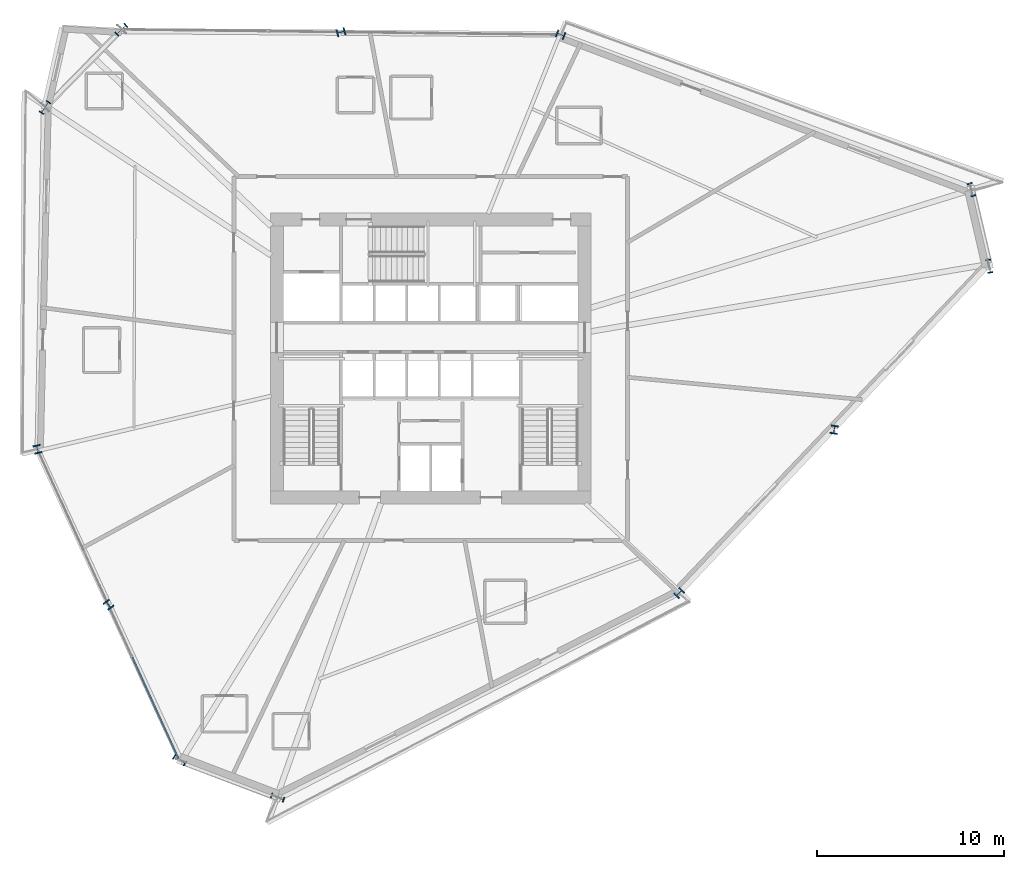
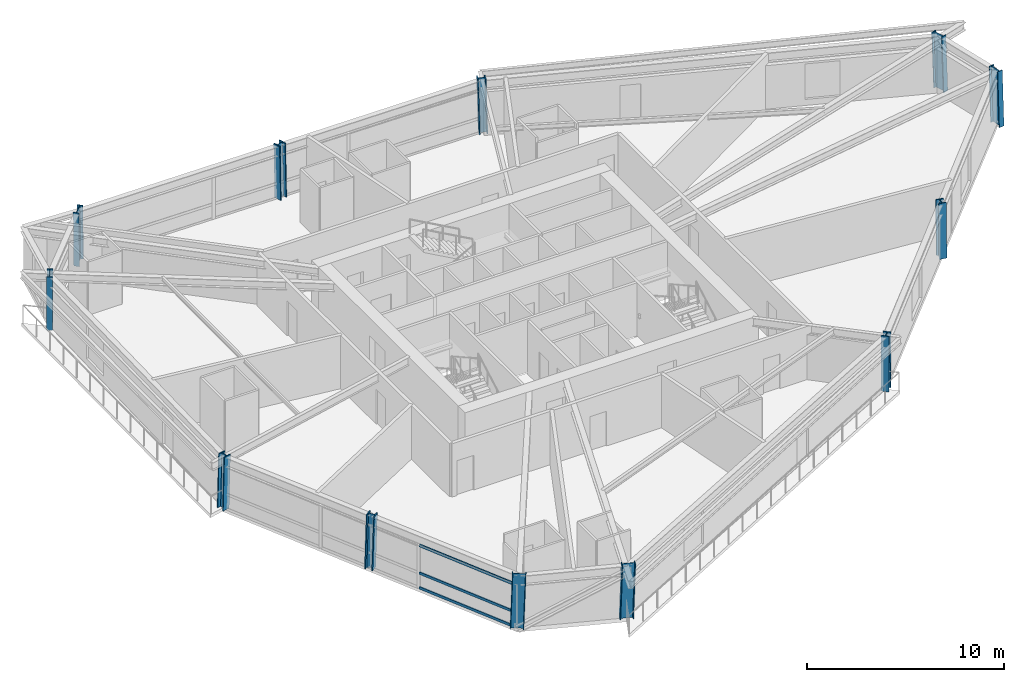
# One storey, part 1 of 21: 12 columns, 3 members, 1 element without a shape of its own.
"""IFC4 building model written with IfcOpenShell, lengths in metres."""

import ifcopenshell
import ifcopenshell.guid

model = None  # the IFC model being written
_history = None  # IfcOwnerHistory: only IFC2X3 demands one
_inside = {}  # id of a spatial element -> (the spatial element, [elements in it])
_under = {}  # id of a project, library or spatial element -> (it, [spatial elements below it])
_declared = {}  # id of a project -> (the project, [libraries it declares])
_typed = {}  # id of a type object -> (the type object, [elements of that type])
_made_of = {}  # id of a material, layer set ... -> (it, [elements and type objects made of it])


def new_model(schema):
    """Start an empty IFC model of exactly this schema.

    Asked for "IFC4X3", IfcOpenShell would pick the latest addendum, in which some entities
    have other attributes; the version numbers below select the first issue.
    IFC2X3 requires an IfcOwnerHistory on every rooted entity: one is made here for all.
    """
    global model, _history
    if schema == "IFC4X3":
        model = ifcopenshell.file(schema_version=(4, 3, 0, 0))
    else:
        model = ifcopenshell.file(schema=schema)
    _inside.clear()
    _under.clear()
    _declared.clear()
    _typed.clear()
    _made_of.clear()
    _history = None
    if model.schema == "IFC2X3":
        org = make("IfcOrganization", Name="unknown")
        user = make(
            "IfcPersonAndOrganization",
            ThePerson=make("IfcPerson", FamilyName="unknown"),
            TheOrganization=org,
        )
        app = make(
            "IfcApplication",
            ApplicationDeveloper=org,
            Version="unknown",
            ApplicationFullName="unknown",
            ApplicationIdentifier="unknown",
        )
        _history = make(
            "IfcOwnerHistory",
            OwningUser=user,
            OwningApplication=app,
            ChangeAction="ADDED",
            CreationDate=0,
        )
    return model


def make(cls, **values):
    """One entity of the class cls with the attributes given. An attribute that is None is left unset."""
    return model.create_entity(
        cls, **{name: value for name, value in values.items() if value is not None}
    )


def rooted(cls, **values):
    """An entity with a GlobalId (a new one), such as an element, a storey or a relation."""
    return make(cls, GlobalId=ifcopenshell.guid.new(), OwnerHistory=_history, **values)


def si_unit(unit_type, name, prefix=None):
    """IfcSIUnit, for example si_unit("LENGTHUNIT", "METRE", prefix="MILLI")."""
    return make("IfcSIUnit", UnitType=unit_type, Prefix=prefix, Name=name)


def assignment(units):
    """IfcUnitAssignment: the units of a project."""
    return None if units is None else make("IfcUnitAssignment", Units=units)


def point(xyz):
    """IfcCartesianPoint."""
    return None if xyz is None else make("IfcCartesianPoint", Coordinates=xyz)


def direction(xyz):
    """IfcDirection."""
    return None if xyz is None else make("IfcDirection", DirectionRatios=xyz)


def frame(location, z_axis=None, x_axis=None):
    """IfcAxis2Placement3D, a coordinate frame: its origin and axes. An axis left out is left unset."""
    return make(
        "IfcAxis2Placement3D",
        Location=point(location),
        Axis=direction(z_axis),
        RefDirection=direction(x_axis),
    )


def frame_2d(location, x_axis=None):
    """IfcAxis2Placement2D, a coordinate frame in the plane: its origin and x axis."""
    return make(
        "IfcAxis2Placement2D", Location=point(location), RefDirection=direction(x_axis)
    )


def origin():
    """The frame at (0, 0, 0) with its axes left unset."""
    return frame((0.0, 0.0, 0.0))


def origin_2d():
    """The frame at (0, 0) in the plane with its x axis left unset."""
    return frame_2d((0.0, 0.0))


def place(relative_to, where):
    """IfcLocalPlacement: puts the frame where relative to a parent placement (None: the world)."""
    return make(
        "IfcLocalPlacement", PlacementRelTo=relative_to, RelativePlacement=where
    )


def context(
    kind, dimensions, precision=None, world=None, true_north=None, identifier=None
):
    """IfcGeometricRepresentationContext, for example the 3D "Model" context."""
    return make(
        "IfcGeometricRepresentationContext",
        ContextIdentifier=identifier,
        ContextType=kind,
        CoordinateSpaceDimension=dimensions,
        Precision=precision,
        WorldCoordinateSystem=world,
        TrueNorth=true_north,
    )


def subcontext(parent, identifier, kind, view, scale=None):
    """IfcGeometricRepresentationSubContext, for example "Body" below "Model"."""
    return make(
        "IfcGeometricRepresentationSubContext",
        ContextIdentifier=identifier,
        ContextType=kind,
        ParentContext=parent,
        TargetScale=scale,
        TargetView=view,
    )


def project(units=None, contexts=None):
    """IfcProject with its units and contexts."""
    return rooted(
        "IfcProject",
        Name="project",
        RepresentationContexts=contexts,
        UnitsInContext=assignment(units),
    )


def spatial(cls, under=None, at=None, **own):
    """A site, building, storey or space (cls), placed at a placement, below another one or the project."""
    s = rooted(cls, ObjectPlacement=at, **own)
    if under is not None:
        _under.setdefault(under.id(), (under, []))[1].append(s)
    return s


def profile(cls, at=None, kind="AREA", **sizes):
    """A parametric profile (cls). Its sizes go by their IFC names, for example OverallWidth=200.0."""
    return make(cls, ProfileType=kind, Position=at, **sizes)


def hollow_rectangle(**sizes):
    """IfcRectangleHollowProfileDef."""
    return profile("IfcRectangleHollowProfileDef", **sizes)


def i_section(**sizes):
    """IfcIShapeProfileDef."""
    return profile("IfcIShapeProfileDef", **sizes)


def extrude(swept, where, along, depth):
    """IfcExtrudedAreaSolid: the profile swept, set in the frame where, extruded along a direction by depth."""
    return make(
        "IfcExtrudedAreaSolid",
        SweptArea=swept,
        Position=where,
        ExtrudedDirection=direction(along),
        Depth=depth,
    )


def shape(context_of_items, identifier, shape_type, items):
    """IfcShapeRepresentation: the items that make up one representation, for example the "Body"."""
    return make(
        "IfcShapeRepresentation",
        ContextOfItems=context_of_items,
        RepresentationIdentifier=identifier,
        RepresentationType=shape_type,
        Items=items,
    )


def source(mapping_origin, context_of_items, identifier, shape_type, items):
    """IfcRepresentationMap: a shape defined once, which mapped items show again and again."""
    return make(
        "IfcRepresentationMap",
        MappingOrigin=mapping_origin,
        MappedRepresentation=shape(context_of_items, identifier, shape_type, items),
    )


def transform(
    local_origin,
    x_axis=None,
    y_axis=None,
    z_axis=None,
    scale=None,
    scale2=None,
    scale3=None,
    uniform=True,
):
    """IfcCartesianTransformationOperator3D, or its non-uniform kind. x_axis, y_axis, z_axis: its Axis1, 2, 3."""
    if uniform:
        return make(
            "IfcCartesianTransformationOperator3D",
            Axis1=direction(x_axis),
            Axis2=direction(y_axis),
            LocalOrigin=point(local_origin),
            Scale=scale,
            Axis3=direction(z_axis),
        )
    return make(
        "IfcCartesianTransformationOperator3DnonUniform",
        Axis1=direction(x_axis),
        Axis2=direction(y_axis),
        LocalOrigin=point(local_origin),
        Scale=scale,
        Axis3=direction(z_axis),
        Scale2=scale2,
        Scale3=scale3,
    )


def mapped(mapping_source, mapping_target):
    """IfcMappedItem: shows the shape of a source again, moved by a transform."""
    return make(
        "IfcMappedItem", MappingSource=mapping_source, MappingTarget=mapping_target
    )


def material(Name=None, Category=None):
    """IfcMaterial."""
    return make("IfcMaterial", Name=Name, Category=Category)


def material_profile(
    of_material, cross_section, Name=None, Category=None, Priority=None
):
    """IfcMaterialProfile: a cross section and its material."""
    return make(
        "IfcMaterialProfile",
        Name=Name,
        Material=of_material,
        Profile=cross_section,
        Priority=Priority,
        Category=Category,
    )


def profile_set(profiles, Name=None, composite=None):
    """IfcMaterialProfileSet."""
    return make(
        "IfcMaterialProfileSet",
        Name=Name,
        MaterialProfiles=profiles,
        CompositeProfile=composite,
    )


def made_of(thing, what):
    """Note that an element or type object is made of a material, layer set ...; save() writes the relation."""
    if what is not None:
        _made_of.setdefault(what.id(), (what, []))[1].append(thing)
    return thing


def type_object(cls, material=None, **own):
    """A type object (cls), such as IfcWallType, which elements share."""
    return made_of(rooted(cls, **own), material)


def element(
    cls,
    number,
    at=None,
    inside=None,
    cuts=None,
    type_object=None,
    material=None,
    context=None,
    identifier="Body",
    shape_type=None,
    held_by="IfcProductDefinitionShape",
    body=None,
    shapes=None,
    **own,
):
    """One element of the class cls, such as IfcWall. Its Tag is "e" and its number.

    at: its placement. inside: the storey or other place that contains it. cuts: it is an
    opening in that element (IfcRelVoidsElement). A single representation is given by context,
    identifier, shape_type and body (its items); several are given by shapes. held_by: the class
    of the entity that holds the representations. save() writes the other relations.
    """
    e = rooted(cls, Tag="e%d" % number, ObjectPlacement=at, **own)
    if body is not None:
        shapes = [shape(context, identifier, shape_type, body)]
    if shapes is not None:
        e.Representation = make(held_by, Representations=shapes)
    if inside is not None:
        _inside.setdefault(inside.id(), (inside, []))[1].append(e)
    if cuts is not None:
        rooted(
            "IfcRelVoidsElement", RelatingBuildingElement=cuts, RelatedOpeningElement=e
        )
    if type_object is not None:
        _typed.setdefault(type_object.id(), (type_object, []))[1].append(e)
    return made_of(e, material)


def aggregate(whole, parts):
    """IfcRelAggregates: a whole, such as a stair, and the parts it consists of."""
    return rooted("IfcRelAggregates", RelatingObject=whole, RelatedObjects=parts)


def save(model, path):
    """Write the relations noted so far, then the file.

    IfcRelAggregates (storeys below a building ...), IfcRelContainedInSpatialStructure (elements
    in a storey), IfcRelDefinesByType, IfcRelAssociatesMaterial and IfcRelDeclares: one each for
    every whole, place, type object, material and project.
    """
    for whole, parts in _under.values():
        aggregate(whole, parts)
    for where, things in _inside.values():
        rooted(
            "IfcRelContainedInSpatialStructure",
            RelatedElements=things,
            RelatingStructure=where,
        )
    for kind, things in _typed.values():
        rooted("IfcRelDefinesByType", RelatedObjects=things, RelatingType=kind)
    for what, things in _made_of.values():
        rooted("IfcRelAssociatesMaterial", RelatedObjects=things, RelatingMaterial=what)
    for by, libraries in _declared.values():
        rooted("IfcRelDeclares", RelatingContext=by, RelatedDefinitions=libraries)
    model.write(path)


model = new_model("IFC4")

# Units and contexts
model_context = context("Model", 3, precision=1e-05, world=origin(), true_north=direction((0.0, 1.0)))
body_context = subcontext(model_context, "Body", "Model", "MODEL_VIEW")
ifc_project = project(units=[si_unit("LENGTHUNIT", "METRE"), si_unit("AREAUNIT", "SQUARE_METRE"), si_unit("VOLUMEUNIT", "CUBIC_METRE"), si_unit("PLANEANGLEUNIT", "RADIAN"), si_unit("MASSUNIT", "GRAM", prefix="KILO")], contexts=[model_context])

# Site, building, storey
site_placement = place(None, origin())
site = spatial("IfcSite", under=ifc_project, at=site_placement, CompositionType="ELEMENT")
building_placement = place(site_placement, origin())
building = spatial("IfcBuilding", under=site, at=building_placement, Name="Olszyna Solenne Hotel", CompositionType="ELEMENT")
storey_placement = place(building_placement, frame((0.0, 0.0, 91.5)))
storey = spatial("IfcBuildingStorey", under=building, at=storey_placement, Name="L23", CompositionType="ELEMENT", Elevation=91.5)

# Columns
ifc_material_1 = material(Name="Steel S460M", Category="steel")
ifc_material_profile_1 = material_profile(ifc_material_1, i_section(OverallWidth=0.303955078125, OverallDepth=0.716064453125, WebThickness=0.02099609375, FlangeThickness=0.0400390625, at=origin_2d()), Name="HEM 700", Category="load-bearing")
ifc_profile_set_1 = profile_set([ifc_material_profile_1], Name="Steel S460M")
column_type_1 = type_object("IfcColumnType", Name="COL-K2", PredefinedType="COLUMN", material=ifc_profile_set_1)
shared_shape_1 = source(origin(), body_context, "Body", "SweptSolid", [
    extrude(i_section(OverallWidth=0.303955078125, OverallDepth=0.716064453125, WebThickness=0.02099609375, FlangeThickness=0.0400390625, at=origin_2d()), origin(), (0.0, 0.0, 1.0), 3.3876953125),
])
for number, where, z_axis, x_axis, name in (
    (1, (67.94140625, 31.5224609375, 0.0), (-0.006486201376, 0.038556863734, 0.999235356385), (-0.986143702521, -0.165893333134, 0.0), "Perimeter framed-tube column COL-K2 C-L23-01"),
    (2, (66.994140625, 35.62451171875, 0.0), (-0.011747214053, 0.037331637296, 0.999233882441), (-0.953888313136, -0.300161766489, 0.0), "Perimeter framed-tube column COL-K2 C-L23-02"),
):
    element("IfcColumn", number, at=place(storey_placement, frame(where, z_axis=z_axis, x_axis=x_axis)), inside=storey, type_object=column_type_1, Name=name, PredefinedType="COLUMN", context=body_context, shape_type="MappedRepresentation", body=[
        mapped(shared_shape_1, transform((0.0, 0.0, 0.0), x_axis=(1.0, 0.0, 0.0), y_axis=(0.0, 1.0, 0.0), z_axis=(0.0, 0.0, 1.0), scale=1.0)),
    ])
ifc_material_profile_2 = material_profile(ifc_material_1, i_section(OverallWidth=0.41796875, OverallDepth=0.455078125, WebThickness=0.03759765625, FlangeThickness=0.05908203125, at=origin_2d()), Name="HD 400x551", Category="load-bearing")
ifc_profile_set_2 = profile_set([ifc_material_profile_2], Name="Steel S460M")
column_type_2 = type_object("IfcColumnType", Name="COL-T2", PredefinedType="COLUMN", material=ifc_profile_set_2)
shared_shape_2 = source(origin(), body_context, "Body", "SweptSolid", [
    extrude(i_section(OverallWidth=0.41796875, OverallDepth=0.455078125, WebThickness=0.03759765625, FlangeThickness=0.05908203125, at=origin_2d()), origin(), (0.0, 0.0, 1.0), 3.385986328125),
])
for number, where, z_axis, x_axis, name in (
    (3, (44.97216796875, 43.9501953125, 0.0), (-0.022424043653, 0.008940776247, 0.999708569927), (-0.370360524269, -0.928888089095, 0.0), "Perimeter framed-tube column COL-T2 C-L23-03"),
    (4, (33.201416015625, 44.090576171875, 0.0), (-0.022568644661, -0.00620096946, 0.999726064608), (0.264941667581, -0.964264441312, 0.0), "Perimeter framed-tube column COL-T2 C-L23-04"),
    (5, (51.304443359375, 14.016357421875, 0.0), (0.016151301224, 0.017160757551, 0.999722283371), (-0.728199992693, 0.685364699005, 0.0), "Perimeter framed-tube column COL-T2 C-L23-11"),
):
    element("IfcColumn", number, at=place(storey_placement, frame(where, z_axis=z_axis, x_axis=x_axis)), inside=storey, type_object=column_type_2, Name=name, PredefinedType="COLUMN", context=body_context, shape_type="MappedRepresentation", body=[
        mapped(shared_shape_2, transform((0.0, 0.0, 0.0), x_axis=(1.0, 0.0, 0.0), y_axis=(0.0, 1.0, 0.0), z_axis=(0.0, 0.0, 1.0), scale=1.0)),
    ])
shared_shape_3 = source(origin(), body_context, "Body", "SweptSolid", [
    extrude(i_section(OverallWidth=0.303955078125, OverallDepth=0.716064453125, WebThickness=0.02099609375, FlangeThickness=0.0400390625, at=origin_2d()), origin(), (0.0, 0.0, 1.0), 3.38671875),
])
for number, where, z_axis, x_axis, name in (
    (6, (21.430419921875, 44.23095703125, 0.0), (-0.022635992209, -0.02133838756, 0.999516025421), (0.685942763433, -0.727655499047, 0.0), "Perimeter framed-tube column COL-K2 C-L23-05"),
    (7, (17.337158203125, 40.072509765625, 0.0), (-0.017301055954, -0.026600373529, 0.999496419999), (0.838287871127, -0.54522788366, 0.0), "Perimeter framed-tube column COL-K2 C-L23-06"),
    (8, (24.522216796875, 5.074951171875, 0.0), (0.027752907326, -0.017300513658, 0.999465091117), (0.529007926798, 0.848616882571, 0.0), "Perimeter framed-tube column COL-K2 C-L23-09"),
    (9, (29.77490234375, 3.074462890625, 0.0), (0.030276536788, -0.010524700884, 0.999486148974), (0.328346164816, 0.944557460428, 0.0), "Perimeter framed-tube column COL-K2 C-L23-10"),
):
    element("IfcColumn", number, at=place(storey_placement, frame(where, z_axis=z_axis, x_axis=x_axis)), inside=storey, type_object=column_type_1, Name=name, PredefinedType="COLUMN", context=body_context, shape_type="MappedRepresentation", body=[
        mapped(shared_shape_3, transform((0.0, 0.0, 0.0), x_axis=(1.0, 0.0, 0.0), y_axis=(0.0, 1.0, 0.0), z_axis=(0.0, 0.0, 1.0), scale=1.0)),
    ])
shared_shape_4 = source(origin(), body_context, "Body", "SweptSolid", [
    extrude(i_section(OverallWidth=0.41796875, OverallDepth=0.455078125, WebThickness=0.03759765625, FlangeThickness=0.05908203125, at=origin_2d()), origin(), (0.0, 0.0, 1.0), 3.38623046875),
])
for number, where, z_axis, x_axis, name in (
    (10, (16.919921875, 21.75048828125, 0.0), (0.00627236322, -0.027108144489, 0.99961282803), (0.974260018771, 0.225427185194, 0.0), "Perimeter framed-tube column COL-T2 C-L23-07"),
    (11, (20.720947265625, 13.41259765625, 0.0), (0.01701461502, -0.022205514517, 0.999608632416), (0.793772252569, 0.608215102618, 0.0), "Perimeter framed-tube column COL-T2 C-L23-08"),
):
    element("IfcColumn", number, at=place(storey_placement, frame(where, z_axis=z_axis, x_axis=x_axis)), inside=storey, type_object=column_type_2, Name=name, PredefinedType="COLUMN", context=body_context, shape_type="MappedRepresentation", body=[
        mapped(shared_shape_4, transform((0.0, 0.0, 0.0), x_axis=(1.0, 0.0, 0.0), y_axis=(0.0, 1.0, 0.0), z_axis=(0.0, 0.0, 1.0), scale=1.0)),
    ])
shared_shape_5 = source(origin(), body_context, "Body", "SweptSolid", [
    extrude(i_section(OverallWidth=0.41796875, OverallDepth=0.455078125, WebThickness=0.03759765625, FlangeThickness=0.05908203125, at=origin_2d()), origin(), (0.0, 0.0, 1.0), 3.386474609375),
])
column_placement = place(storey_placement, frame((59.622802734375, 22.769287109375, 0.0), z_axis=(0.004902467356, 0.027900806864, 0.999598674864), x_axis=(-0.984911394825, 0.173059366532, 0.0)))
element("IfcColumn", 12, at=column_placement, inside=storey, type_object=column_type_2, Name="Perimeter framed-tube column COL-T2 C-L23-12", PredefinedType="COLUMN", context=body_context, shape_type="MappedRepresentation", body=[
    mapped(shared_shape_5, transform((0.0, 0.0, 0.0), x_axis=(1.0, 0.0, 0.0), y_axis=(0.0, 1.0, 0.0), z_axis=(0.0, 0.0, 1.0), scale=1.0)),
])

# Curtain wall, members
ifc_material_2 = material(Name="Anodised bronze aluminium", Category="aluminium")
curtain_wall_type = type_object("IfcCurtainWallType", Name="CW-SYS-3", PredefinedType="NOTDEFINED", material=ifc_material_2)
curtain_wall_placement = place(storey_placement, origin())
curtain_wall = element("IfcCurtainWall", 13, at=curtain_wall_placement, inside=storey, type_object=curtain_wall_type, Name="Unitised curtain wall CW-SYS-3 CW-L23-01", PredefinedType="NOTDEFINED")
ifc_material_profile_3 = material_profile(ifc_material_2, hollow_rectangle(XDim=0.074951171875, YDim=0.159912109375, WallThickness=0.00390625, at=origin_2d()), Name="TRAN 160x75x4", Category="load-bearing")
ifc_profile_set_3 = profile_set([ifc_material_profile_3], Name="Anodised bronze aluminium")
member_type = type_object("IfcMemberType", Name="CW-T1", PredefinedType="USERDEFINED", material=ifc_profile_set_3)
shared_shape_6 = source(origin(), body_context, "Body", "SweptSolid", [
    extrude(hollow_rectangle(XDim=0.074951171875, YDim=0.159912109375, WallThickness=0.00390625, at=origin_2d()), origin(), (0.0, 0.0, 1.0), 5.99658203125),
])
member_1_placement = place(storey_placement, frame((22.003662109375, 10.599365234375, 0.03759765625), z_axis=(0.414793497758, -0.909915575324, 0.0), x_axis=(0.909915575324, 0.414793497758, 0.0)))
member_1 = element("IfcMember", 14, at=member_1_placement, type_object=member_type, Name="Curtain-wall transom CW-T1 CT-L23-01-07", ObjectType="TRANSOM", PredefinedType="USERDEFINED", context=body_context, shape_type="MappedRepresentation", body=[
    mapped(shared_shape_6, transform((0.0, 0.0, 0.0), x_axis=(1.0, 0.0, 0.0), y_axis=(0.0, 1.0, 0.0), z_axis=(0.0, 0.0, 1.0), scale=1.0)),
])
member_2_placement = place(storey_placement, frame((22.003662109375, 10.599365234375, 0.949951171875), z_axis=(0.414793497758, -0.909915575324, 0.0), x_axis=(0.909915575324, 0.414793497758, 0.0)))
member_2 = element("IfcMember", 15, at=member_2_placement, type_object=member_type, Name="Curtain-wall transom CW-T1 CT-L23-01-08", ObjectType="TRANSOM", PredefinedType="USERDEFINED", context=body_context, shape_type="MappedRepresentation", body=[
    mapped(shared_shape_6, transform((0.0, 0.0, 0.0), x_axis=(1.0, 0.0, 0.0), y_axis=(0.0, 1.0, 0.0), z_axis=(0.0, 0.0, 1.0), scale=1.0)),
])
member_3_placement = place(storey_placement, frame((22.003662109375, 10.599365234375, 2.654541015625), z_axis=(0.414793497758, -0.909915575324, 0.0), x_axis=(0.909915575324, 0.414793497758, 0.0)))
member_3 = element("IfcMember", 16, at=member_3_placement, type_object=member_type, Name="Curtain-wall transom CW-T1 CT-L23-01-09", ObjectType="TRANSOM", PredefinedType="USERDEFINED", context=body_context, shape_type="MappedRepresentation", body=[
    mapped(shared_shape_6, transform((0.0, 0.0, 0.0), x_axis=(1.0, 0.0, 0.0), y_axis=(0.0, 1.0, 0.0), z_axis=(0.0, 0.0, 1.0), scale=1.0)),
])
aggregate(curtain_wall, [member_1, member_2, member_3])

save(model, "model.ifc")
